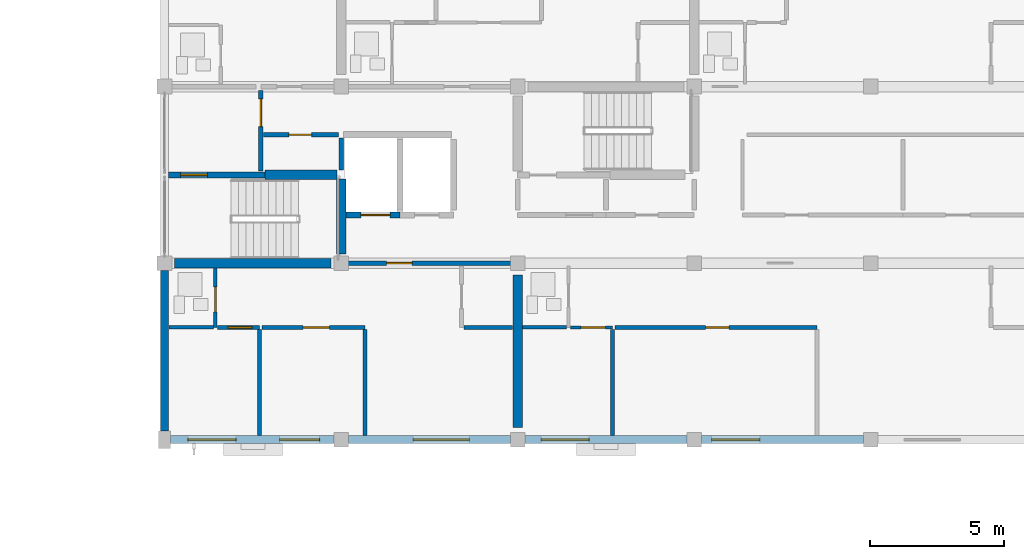
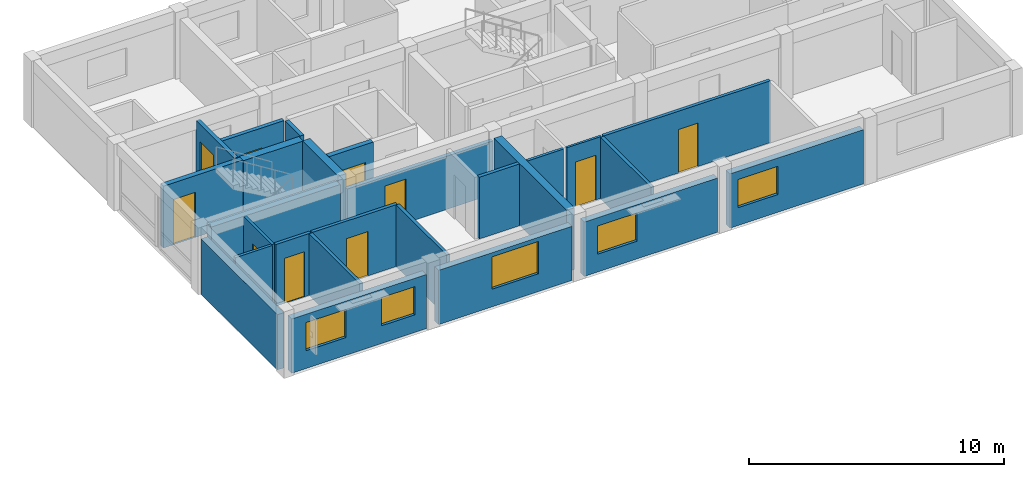
# One storey, part 36 of 52: 26 walls, 10 doors, 5 windows, 15 openings.
"""IFC4 building model written with IfcOpenShell, lengths in metres."""

import ifcopenshell
import ifcopenshell.guid

model = None  # the IFC model being written
_history = None  # IfcOwnerHistory: only IFC2X3 demands one
_inside = {}  # id of a spatial element -> (the spatial element, [elements in it])
_under = {}  # id of a project, library or spatial element -> (it, [spatial elements below it])
_declared = {}  # id of a project -> (the project, [libraries it declares])
_typed = {}  # id of a type object -> (the type object, [elements of that type])
_made_of = {}  # id of a material, layer set ... -> (it, [elements and type objects made of it])


def new_model(schema):
    """Start an empty IFC model of exactly this schema.

    Asked for "IFC4X3", IfcOpenShell would pick the latest addendum, in which some entities
    have other attributes; the version numbers below select the first issue.
    IFC2X3 requires an IfcOwnerHistory on every rooted entity: one is made here for all.
    """
    global model, _history
    if schema == "IFC4X3":
        model = ifcopenshell.file(schema_version=(4, 3, 0, 0))
    else:
        model = ifcopenshell.file(schema=schema)
    _inside.clear()
    _under.clear()
    _declared.clear()
    _typed.clear()
    _made_of.clear()
    _history = None
    if model.schema == "IFC2X3":
        org = make("IfcOrganization", Name="unknown")
        user = make(
            "IfcPersonAndOrganization",
            ThePerson=make("IfcPerson", FamilyName="unknown"),
            TheOrganization=org,
        )
        app = make(
            "IfcApplication",
            ApplicationDeveloper=org,
            Version="unknown",
            ApplicationFullName="unknown",
            ApplicationIdentifier="unknown",
        )
        _history = make(
            "IfcOwnerHistory",
            OwningUser=user,
            OwningApplication=app,
            ChangeAction="ADDED",
            CreationDate=0,
        )
    return model


def make(cls, **values):
    """One entity of the class cls with the attributes given. An attribute that is None is left unset."""
    return model.create_entity(
        cls, **{name: value for name, value in values.items() if value is not None}
    )


def rooted(cls, **values):
    """An entity with a GlobalId (a new one), such as an element, a storey or a relation."""
    return make(cls, GlobalId=ifcopenshell.guid.new(), OwnerHistory=_history, **values)


def si_unit(unit_type, name, prefix=None):
    """IfcSIUnit, for example si_unit("LENGTHUNIT", "METRE", prefix="MILLI")."""
    return make("IfcSIUnit", UnitType=unit_type, Prefix=prefix, Name=name)


def assignment(units):
    """IfcUnitAssignment: the units of a project."""
    return None if units is None else make("IfcUnitAssignment", Units=units)


def point(xyz):
    """IfcCartesianPoint."""
    return None if xyz is None else make("IfcCartesianPoint", Coordinates=xyz)


def direction(xyz):
    """IfcDirection."""
    return None if xyz is None else make("IfcDirection", DirectionRatios=xyz)


def frame(location, z_axis=None, x_axis=None):
    """IfcAxis2Placement3D, a coordinate frame: its origin and axes. An axis left out is left unset."""
    return make(
        "IfcAxis2Placement3D",
        Location=point(location),
        Axis=direction(z_axis),
        RefDirection=direction(x_axis),
    )


def frame_2d(location, x_axis=None):
    """IfcAxis2Placement2D, a coordinate frame in the plane: its origin and x axis."""
    return make(
        "IfcAxis2Placement2D", Location=point(location), RefDirection=direction(x_axis)
    )


def origin():
    """The frame at (0, 0, 0) with its axes left unset."""
    return frame((0.0, 0.0, 0.0))


def place(relative_to, where):
    """IfcLocalPlacement: puts the frame where relative to a parent placement (None: the world)."""
    return make(
        "IfcLocalPlacement", PlacementRelTo=relative_to, RelativePlacement=where
    )


def context(
    kind, dimensions, precision=None, world=None, true_north=None, identifier=None
):
    """IfcGeometricRepresentationContext, for example the 3D "Model" context."""
    return make(
        "IfcGeometricRepresentationContext",
        ContextIdentifier=identifier,
        ContextType=kind,
        CoordinateSpaceDimension=dimensions,
        Precision=precision,
        WorldCoordinateSystem=world,
        TrueNorth=true_north,
    )


def subcontext(parent, identifier, kind, view, scale=None):
    """IfcGeometricRepresentationSubContext, for example "Body" below "Model"."""
    return make(
        "IfcGeometricRepresentationSubContext",
        ContextIdentifier=identifier,
        ContextType=kind,
        ParentContext=parent,
        TargetScale=scale,
        TargetView=view,
    )


def project(units=None, contexts=None):
    """IfcProject with its units and contexts."""
    return rooted(
        "IfcProject",
        Name="project",
        RepresentationContexts=contexts,
        UnitsInContext=assignment(units),
    )


def spatial(cls, under=None, at=None, **own):
    """A site, building, storey or space (cls), placed at a placement, below another one or the project."""
    s = rooted(cls, ObjectPlacement=at, **own)
    if under is not None:
        _under.setdefault(under.id(), (under, []))[1].append(s)
    return s


def profile(cls, at=None, kind="AREA", **sizes):
    """A parametric profile (cls). Its sizes go by their IFC names, for example OverallWidth=200.0."""
    return make(cls, ProfileType=kind, Position=at, **sizes)


def rectangle(**sizes):
    """IfcRectangleProfileDef."""
    return profile("IfcRectangleProfileDef", **sizes)


def extrude(swept, where, along, depth):
    """IfcExtrudedAreaSolid: the profile swept, set in the frame where, extruded along a direction by depth."""
    return make(
        "IfcExtrudedAreaSolid",
        SweptArea=swept,
        Position=where,
        ExtrudedDirection=direction(along),
        Depth=depth,
    )


def shape(context_of_items, identifier, shape_type, items):
    """IfcShapeRepresentation: the items that make up one representation, for example the "Body"."""
    return make(
        "IfcShapeRepresentation",
        ContextOfItems=context_of_items,
        RepresentationIdentifier=identifier,
        RepresentationType=shape_type,
        Items=items,
    )


def material(Name=None, Category=None):
    """IfcMaterial."""
    return make("IfcMaterial", Name=Name, Category=Category)


def layer(
    of_material, thickness, ventilated=None, Name=None, Category=None, Priority=None
):
    """IfcMaterialLayer: one layer of a wall or slab, of a material (None: an air gap)."""
    return make(
        "IfcMaterialLayer",
        Material=of_material,
        LayerThickness=thickness,
        IsVentilated=ventilated,
        Name=Name,
        Category=Category,
        Priority=Priority,
    )


def layer_set(layers, Name=None):
    """IfcMaterialLayerSet."""
    return make("IfcMaterialLayerSet", MaterialLayers=layers, LayerSetName=Name)


def made_of(thing, what):
    """Note that an element or type object is made of a material, layer set ...; save() writes the relation."""
    if what is not None:
        _made_of.setdefault(what.id(), (what, []))[1].append(thing)
    return thing


def type_object(cls, material=None, **own):
    """A type object (cls), such as IfcWallType, which elements share."""
    return made_of(rooted(cls, **own), material)


def element(
    cls,
    number,
    at=None,
    inside=None,
    cuts=None,
    type_object=None,
    material=None,
    context=None,
    identifier="Body",
    shape_type=None,
    held_by="IfcProductDefinitionShape",
    body=None,
    shapes=None,
    **own,
):
    """One element of the class cls, such as IfcWall. Its Tag is "e" and its number.

    at: its placement. inside: the storey or other place that contains it. cuts: it is an
    opening in that element (IfcRelVoidsElement). A single representation is given by context,
    identifier, shape_type and body (its items); several are given by shapes. held_by: the class
    of the entity that holds the representations. save() writes the other relations.
    """
    e = rooted(cls, Tag="e%d" % number, ObjectPlacement=at, **own)
    if body is not None:
        shapes = [shape(context, identifier, shape_type, body)]
    if shapes is not None:
        e.Representation = make(held_by, Representations=shapes)
    if inside is not None:
        _inside.setdefault(inside.id(), (inside, []))[1].append(e)
    if cuts is not None:
        rooted(
            "IfcRelVoidsElement", RelatingBuildingElement=cuts, RelatedOpeningElement=e
        )
    if type_object is not None:
        _typed.setdefault(type_object.id(), (type_object, []))[1].append(e)
    return made_of(e, material)


def fill(opening, filler):
    """IfcRelFillsElement: the door or window that sits in an opening."""
    return rooted(
        "IfcRelFillsElement",
        RelatingOpeningElement=opening,
        RelatedBuildingElement=filler,
    )


def aggregate(whole, parts):
    """IfcRelAggregates: a whole, such as a stair, and the parts it consists of."""
    return rooted("IfcRelAggregates", RelatingObject=whole, RelatedObjects=parts)


def save(model, path):
    """Write the relations noted so far, then the file.

    IfcRelAggregates (storeys below a building ...), IfcRelContainedInSpatialStructure (elements
    in a storey), IfcRelDefinesByType, IfcRelAssociatesMaterial and IfcRelDeclares: one each for
    every whole, place, type object, material and project.
    """
    for whole, parts in _under.values():
        aggregate(whole, parts)
    for where, things in _inside.values():
        rooted(
            "IfcRelContainedInSpatialStructure",
            RelatedElements=things,
            RelatingStructure=where,
        )
    for kind, things in _typed.values():
        rooted("IfcRelDefinesByType", RelatedObjects=things, RelatingType=kind)
    for what, things in _made_of.values():
        rooted("IfcRelAssociatesMaterial", RelatedObjects=things, RelatingMaterial=what)
    for by, libraries in _declared.values():
        rooted("IfcRelDeclares", RelatingContext=by, RelatedDefinitions=libraries)
    model.write(path)


model = new_model("IFC4")

# Units and contexts
model_context = context("Model", 3, precision=1e-05, world=origin(), true_north=direction((0.0, 1.0)))
body_context = subcontext(model_context, "Body", "Model", "MODEL_VIEW")
ifc_project = project(units=[si_unit("LENGTHUNIT", "METRE"), si_unit("AREAUNIT", "SQUARE_METRE"), si_unit("VOLUMEUNIT", "CUBIC_METRE"), si_unit("PLANEANGLEUNIT", "RADIAN"), si_unit("MASSUNIT", "GRAM", prefix="KILO")], contexts=[model_context])

# Site, building, storey
site_placement = place(None, origin())
site = spatial("IfcSite", under=ifc_project, at=site_placement, CompositionType="ELEMENT")
building_placement = place(site_placement, origin())
building = spatial("IfcBuilding", under=site, at=building_placement, Name="Kernevlak Ridge Housing Community", CompositionType="ELEMENT")
storey_placement = place(building_placement, frame((0.0, 0.0, 11.60009765625)))
storey = spatial("IfcBuildingStorey", under=building, at=storey_placement, Name="L03", CompositionType="ELEMENT", Elevation=11.60009765625)

# Wall, openings, windows
ifc_material_1 = material(Name="Concrete block masonry M10", Category="masonry")
ifc_layer_1 = layer(ifc_material_1, 0.300048828125, Name="Concrete block masonry M10")
ifc_layer_set_1 = layer_set([ifc_layer_1], Name="Concrete block masonry M10")
wall_type_1 = type_object("IfcWallType", Name="EW-01", PredefinedType="STANDARD", material=ifc_layer_set_1)
wall_1_placement = place(storey_placement, frame((119.625, 82.60009765625, 0.0), z_axis=(0.0, 0.0, 1.0), x_axis=(1.0, 0.0, 0.0)))
wall_1 = element("IfcWall", 1, at=wall_1_placement, inside=storey, type_object=wall_type_1, Name="Exterior wall EW-01 L03 339", PredefinedType="STANDARD", context=body_context, shape_type="SweptSolid", body=[
    extrude(rectangle(XDim=6.10009765625, YDim=0.300048828125, at=frame_2d((3.050048828125, 0.0))), origin(), (0.0, 0.0, 1.0), 2.599853515625),
])
opening_1_placement = place(wall_1_placement, frame((0.64990234375, 0.0, 0.85009765625)))
opening_1 = element("IfcOpeningElement", 2, at=opening_1_placement, cuts=wall_1, Name="Opening WT-03", PredefinedType="OPENING", context=body_context, shape_type="SweptSolid", body=[
    extrude(rectangle(XDim=1.800048828125, YDim=1.35009765625, at=frame_2d((0.89990234375, 0.675048828125))), frame((0.0, 0.159912109375, 0.0), z_axis=(0.0, -1.0, 0.0), x_axis=(1.0, 0.0, 0.0)), (0.0, 0.0, 1.0), 0.320068359375),
])
opening_2_placement = place(wall_1_placement, frame((4.074951171875, 0.0, 0.85009765625)))
opening_2 = element("IfcOpeningElement", 3, at=opening_2_placement, cuts=wall_1, Name="Opening WT-02", PredefinedType="OPENING", context=body_context, shape_type="SweptSolid", body=[
    extrude(rectangle(XDim=1.5, YDim=1.35009765625, at=frame_2d((0.75, 0.675048828125))), frame((0.0, 0.159912109375, 0.0), z_axis=(0.0, -1.0, 0.0), x_axis=(1.0, 0.0, 0.0)), (0.0, 0.0, 1.0), 0.320068359375),
])
ifc_material_2 = material(Name="Aluminium EN AW-6060 anodised and laminated glass", Category="aluminium")
window_type_1 = type_object("IfcWindowType", Name="WT-02", PartitioningType="SINGLE_PANEL", PredefinedType="WINDOW", material=ifc_material_2)
window_1_placement = place(opening_2_placement, origin())
window_1 = element("IfcWindow", 4, at=window_1_placement, inside=storey, type_object=window_type_1, Name="Window WT-02 L03 260", OverallHeight=1.35009765625, OverallWidth=1.5, PartitioningType="SINGLE_PANEL", PredefinedType="WINDOW", context=body_context, shape_type="SweptSolid", body=[
    extrude(rectangle(XDim=1.5, YDim=1.35009765625, at=frame_2d((0.75, 0.675048828125))), frame((0.0, 0.030029296875, 0.0), z_axis=(0.0, -1.0, 0.0), x_axis=(1.0, 0.0, 0.0)), (0.0, 0.0, 1.0), 0.06005859375),
])
fill(opening_2, window_1)
window_type_2 = type_object("IfcWindowType", Name="WT-03", PartitioningType="SINGLE_PANEL", PredefinedType="WINDOW", material=ifc_material_2)
window_2_placement = place(opening_1_placement, origin())
window_2 = element("IfcWindow", 5, at=window_2_placement, inside=storey, type_object=window_type_2, Name="Window WT-03 L03 259", OverallHeight=1.35009765625, OverallWidth=1.800048828125, PartitioningType="SINGLE_PANEL", PredefinedType="WINDOW", context=body_context, shape_type="SweptSolid", body=[
    extrude(rectangle(XDim=1.800048828125, YDim=1.35009765625, at=frame_2d((0.89990234375, 0.675048828125))), frame((0.0, 0.030029296875, 0.0), z_axis=(0.0, -1.0, 0.0), x_axis=(1.0, 0.0, 0.0)), (0.0, 0.0, 1.0), 0.06005859375),
])
fill(opening_1, window_2)

# Wall, opening, window
wall_2_placement = place(storey_placement, frame((126.27490234375, 82.60009765625, 0.0), z_axis=(0.0, 0.0, 1.0), x_axis=(1.0, 0.0, 0.0)))
wall_2 = element("IfcWall", 6, at=wall_2_placement, inside=storey, type_object=wall_type_1, Name="Exterior wall EW-01 L03 340", PredefinedType="STANDARD", context=body_context, shape_type="SweptSolid", body=[
    extrude(rectangle(XDim=6.050048828125, YDim=0.300048828125, at=frame_2d((3.02490234375, 0.0))), origin(), (0.0, 0.0, 1.0), 2.599853515625),
])
opening_3_placement = place(wall_2_placement, frame((2.4208984375, 0.0, 0.85009765625)))
opening_3 = element("IfcOpeningElement", 7, at=opening_3_placement, cuts=wall_2, Name="Opening WT-05", PredefinedType="OPENING", context=body_context, shape_type="SweptSolid", body=[
    extrude(rectangle(XDim=2.10009765625, YDim=1.550048828125, at=frame_2d((1.050048828125, 0.77490234375))), frame((0.0, 0.159912109375, 0.0), z_axis=(0.0, -1.0, 0.0), x_axis=(1.0, 0.0, 0.0)), (0.0, 0.0, 1.0), 0.320068359375),
])
window_type_3 = type_object("IfcWindowType", Name="WT-05", PartitioningType="SINGLE_PANEL", PredefinedType="WINDOW", material=ifc_material_2)
window_3_placement = place(opening_3_placement, origin())
window_3 = element("IfcWindow", 8, at=window_3_placement, inside=storey, type_object=window_type_3, Name="Window WT-05 L03 261", OverallHeight=1.550048828125, OverallWidth=2.10009765625, PartitioningType="SINGLE_PANEL", PredefinedType="WINDOW", context=body_context, shape_type="SweptSolid", body=[
    extrude(rectangle(XDim=2.10009765625, YDim=1.550048828125, at=frame_2d((1.050048828125, 0.77490234375))), frame((0.0, 0.030029296875, 0.0), z_axis=(0.0, -1.0, 0.0), x_axis=(1.0, 0.0, 0.0)), (0.0, 0.0, 1.0), 0.06005859375),
])
fill(opening_3, window_3)

wall_3_placement = place(storey_placement, frame((132.875, 82.60009765625, 0.0), z_axis=(0.0, 0.0, 1.0), x_axis=(1.0, 0.0, 0.0)))
wall_3 = element("IfcWall", 9, at=wall_3_placement, inside=storey, type_object=wall_type_1, Name="Exterior wall EW-01 L03 341", PredefinedType="STANDARD", context=body_context, shape_type="SweptSolid", body=[
    extrude(rectangle(XDim=6.050048828125, YDim=0.300048828125, at=frame_2d((3.02490234375, 0.0))), origin(), (0.0, 0.0, 1.0), 2.599853515625),
])
opening_4_placement = place(wall_3_placement, frame((0.60009765625, 0.0, 0.85009765625)))
opening_4 = element("IfcOpeningElement", 10, at=opening_4_placement, cuts=wall_3, Name="Opening WT-03", PredefinedType="OPENING", context=body_context, shape_type="SweptSolid", body=[
    extrude(rectangle(XDim=1.800048828125, YDim=1.35009765625, at=frame_2d((0.89990234375, 0.675048828125))), frame((0.0, 0.159912109375, 0.0), z_axis=(0.0, -1.0, 0.0), x_axis=(1.0, 0.0, 0.0)), (0.0, 0.0, 1.0), 0.320068359375),
])
window_4_placement = place(opening_4_placement, origin())
window_4 = element("IfcWindow", 11, at=window_4_placement, inside=storey, type_object=window_type_2, Name="Window WT-03 L03 262", OverallHeight=1.35009765625, OverallWidth=1.800048828125, PartitioningType="SINGLE_PANEL", PredefinedType="WINDOW", context=body_context, shape_type="SweptSolid", body=[
    extrude(rectangle(XDim=1.800048828125, YDim=1.35009765625, at=frame_2d((0.89990234375, 0.675048828125))), frame((0.0, 0.030029296875, 0.0), z_axis=(0.0, -1.0, 0.0), x_axis=(1.0, 0.0, 0.0)), (0.0, 0.0, 1.0), 0.06005859375),
])
fill(opening_4, window_4)

wall_4_placement = place(storey_placement, frame((139.47509765625, 82.60009765625, 0.0), z_axis=(0.0, 0.0, 1.0), x_axis=(1.0, 0.0, 0.0)))
wall_4 = element("IfcWall", 12, at=wall_4_placement, inside=storey, type_object=wall_type_1, Name="Exterior wall EW-01 L03 342", PredefinedType="STANDARD", context=body_context, shape_type="SweptSolid", body=[
    extrude(rectangle(XDim=6.0498046875, YDim=0.300048828125, at=frame_2d((3.02490234375, 0.0))), origin(), (0.0, 0.0, 1.0), 2.599853515625),
])
opening_5_placement = place(wall_4_placement, frame((0.375, 0.0, 0.85009765625)))
opening_5 = element("IfcOpeningElement", 13, at=opening_5_placement, cuts=wall_4, Name="Opening WT-03", PredefinedType="OPENING", context=body_context, shape_type="SweptSolid", body=[
    extrude(rectangle(XDim=1.800048828125, YDim=1.35009765625, at=frame_2d((0.89990234375, 0.675048828125))), frame((0.0, 0.159912109375, 0.0), z_axis=(0.0, -1.0, 0.0), x_axis=(1.0, 0.0, 0.0)), (0.0, 0.0, 1.0), 0.320068359375),
])
window_5_placement = place(opening_5_placement, origin())
window_5 = element("IfcWindow", 14, at=window_5_placement, inside=storey, type_object=window_type_2, Name="Window WT-03 L03 263", OverallHeight=1.35009765625, OverallWidth=1.800048828125, PartitioningType="SINGLE_PANEL", PredefinedType="WINDOW", context=body_context, shape_type="SweptSolid", body=[
    extrude(rectangle(XDim=1.800048828125, YDim=1.35009765625, at=frame_2d((0.89990234375, 0.675048828125))), frame((0.0, 0.030029296875, 0.0), z_axis=(0.0, -1.0, 0.0), x_axis=(1.0, 0.0, 0.0)), (0.0, 0.0, 1.0), 0.06005859375),
])
fill(opening_5, window_5)

# Wall
wall_5_placement = place(storey_placement, frame((119.39990234375, 82.925048828125, 0.0), z_axis=(0.0, 0.0, 1.0), x_axis=(0.0, 1.0, 0.0)))
element("IfcWall", 15, at=wall_5_placement, inside=storey, type_object=wall_type_1, Name="Exterior wall EW-01 L03 351", PredefinedType="STANDARD", context=body_context, shape_type="SweptSolid", body=[
    extrude(rectangle(XDim=6.0, YDim=0.300048828125, at=frame_2d((3.0, 0.0))), origin(), (0.0, 0.0, 1.0), 2.64990234375),
])

# Wall, opening, door
ifc_material_3 = material(Name="Concrete C35/45", Category="concrete")
ifc_layer_2 = layer(ifc_material_3, 0.22509765625, Name="Concrete C35/45")
ifc_layer_set_2 = layer_set([ifc_layer_2], Name="Concrete C35/45")
wall_type_2 = type_object("IfcWallType", Name="PW-01", PredefinedType="STANDARD", material=ifc_layer_set_2)
wall_6_placement = place(storey_placement, frame((119.550048828125, 92.5, 0.0), z_axis=(0.0, 0.0, 1.0), x_axis=(1.0, 0.0, 0.0)))
wall_6 = element("IfcWall", 16, at=wall_6_placement, inside=storey, type_object=wall_type_2, Name="Interior wall PW-01 WAL-INT-L03-1326", PredefinedType="STANDARD", context=body_context, shape_type="SweptSolid", body=[
    extrude(rectangle(XDim=3.599853515625, YDim=0.22509765625, at=frame_2d((1.7998046875, 0.0))), origin(), (0.0, 0.0, 1.0), 2.9599609375),
])
opening_6_placement = place(wall_6_placement, frame((0.449951171875, 0.0, 0.0)))
opening_6 = element("IfcOpeningElement", 17, at=opening_6_placement, cuts=wall_6, Name="Opening D672", PredefinedType="OPENING", context=body_context, shape_type="SweptSolid", body=[
    extrude(rectangle(XDim=1.0, YDim=2.159912109375, at=frame_2d((0.5, 1.080078125))), frame((0.0, 0.12255859375, 0.0), z_axis=(0.0, -1.0, 0.0), x_axis=(1.0, 0.0, 0.0)), (0.0, 0.0, 1.0), 0.2451171875),
])
ifc_material_4 = material(Name="Fire-rated sheet steel leaf", Category="steel")
door_type_1 = type_object("IfcDoorType", Name="DT-15", OperationType="NOTDEFINED", PredefinedType="DOOR", material=ifc_material_4)
door_1_placement = place(opening_6_placement, origin())
door_1 = element("IfcDoor", 18, at=door_1_placement, inside=storey, type_object=door_type_1, Name="Block B Stair 1 fire door D672", OperationType="SINGLE_SWING_RIGHT", OverallHeight=2.159912109375, OverallWidth=1.0, PredefinedType="DOOR", context=body_context, shape_type="SweptSolid", body=[
    extrude(rectangle(XDim=1.0, YDim=2.159912109375, at=frame_2d((0.5, 1.080078125))), frame((0.0, 0.02490234375, 0.0), z_axis=(0.0, -1.0, 0.0), x_axis=(1.0, 0.0, 0.0)), (0.0, 0.0, 1.0), 0.050048828125),
])
fill(opening_6, door_1)

wall_7_placement = place(storey_placement, frame((126.18505859375, 91.0, 0.0), z_axis=(0.0, 0.0, 1.0), x_axis=(1.0, 0.0, 0.0)))
wall_7 = element("IfcWall", 19, at=wall_7_placement, inside=storey, type_object=wall_type_2, Name="Interior wall PW-01 WAL-INT-L03-1330", PredefinedType="STANDARD", context=body_context, shape_type="SweptSolid", body=[
    extrude(rectangle(XDim=2.014892578125, YDim=0.22509765625, at=frame_2d((1.00732421875, 0.0))), origin(), (0.0, 0.0, 1.0), 2.9599609375),
])
opening_7_placement = place(wall_7_placement, frame((0.550048828125, 0.0, 0.0)))
opening_7 = element("IfcOpeningElement", 20, at=opening_7_placement, cuts=wall_7, Name="Opening LD36", PredefinedType="OPENING", context=body_context, shape_type="SweptSolid", body=[
    extrude(rectangle(XDim=1.10009765625, YDim=2.10009765625, at=frame_2d((0.550048828125, 1.050048828125))), frame((0.0, 0.12255859375, 0.0), z_axis=(0.0, -1.0, 0.0), x_axis=(1.0, 0.0, 0.0)), (0.0, 0.0, 1.0), 0.2451171875),
])
ifc_material_5 = material(Name="Stainless steel EN 1.4401", Category="steel")
door_type_2 = type_object("IfcDoorType", Name="DT-LD1", OperationType="DOUBLE_DOOR_SLIDING", PredefinedType="DOOR", material=ifc_material_5)
door_2_placement = place(opening_7_placement, origin())
door_2 = element("IfcDoor", 21, at=door_2_placement, inside=storey, type_object=door_type_2, Name="Lift LF-B1 landing door LD36", OperationType="DOUBLE_DOOR_SLIDING", OverallHeight=2.10009765625, OverallWidth=1.10009765625, PredefinedType="DOOR", context=body_context, shape_type="SweptSolid", body=[
    extrude(rectangle(XDim=1.10009765625, YDim=2.10009765625, at=frame_2d((0.550048828125, 1.050048828125))), frame((0.0, 0.02490234375, 0.0), z_axis=(0.0, -1.0, 0.0), x_axis=(1.0, 0.0, 0.0)), (0.0, 0.0, 1.0), 0.050048828125),
])
fill(opening_7, door_2)

ifc_layer_3 = layer(ifc_material_1, 0.175048828125, Name="Concrete block masonry M10")
ifc_layer_set_3 = layer_set([ifc_layer_3], Name="Concrete block masonry M10")
wall_type_3 = type_object("IfcWallType", Name="PW-02", PredefinedType="PARTITIONING", material=ifc_layer_set_3)
wall_8_placement = place(storey_placement, frame((123.0, 92.64990234375, 0.0), z_axis=(0.0, 0.0, 1.0), x_axis=(0.0, 1.0, 0.0)))
wall_8 = element("IfcWall", 22, at=wall_8_placement, inside=storey, type_object=wall_type_3, Name="Interior wall PW-02 WAL-INT-L03-1327", PredefinedType="PARTITIONING", context=body_context, shape_type="SweptSolid", body=[
    extrude(rectangle(XDim=3.0, YDim=0.175048828125, at=frame_2d((1.5, 0.0))), origin(), (0.0, 0.0, 1.0), 2.9599609375),
])
opening_8_placement = place(wall_8_placement, frame((1.64990234375, 0.0, 0.0)))
opening_8 = element("IfcOpeningElement", 23, at=opening_8_placement, cuts=wall_8, Name="Opening D673", PredefinedType="OPENING", context=body_context, shape_type="SweptSolid", body=[
    extrude(rectangle(XDim=1.0400390625, YDim=2.1201171875, at=frame_2d((0.52001953125, 1.06005859375))), frame((0.0, 0.097412109375, 0.0), z_axis=(0.0, -1.0, 0.0), x_axis=(1.0, 0.0, 0.0)), (0.0, 0.0, 1.0), 0.195068359375),
])
door_type_3 = type_object("IfcDoorType", Name="DT-16", OperationType="NOTDEFINED", PredefinedType="DOOR", material=ifc_material_4)
door_3_placement = place(opening_8_placement, origin())
door_3 = element("IfcDoor", 24, at=door_3_placement, inside=storey, type_object=door_type_3, Name="Block B Firefighting lobby 1 door D673", OperationType="SINGLE_SWING_LEFT", OverallHeight=2.1201171875, OverallWidth=1.0400390625, PredefinedType="DOOR", context=body_context, shape_type="SweptSolid", body=[
    extrude(rectangle(XDim=1.0400390625, YDim=2.1201171875, at=frame_2d((0.52001953125, 1.06005859375))), frame((0.0, 0.02490234375, 0.0), z_axis=(0.0, -1.0, 0.0), x_axis=(1.0, 0.0, 0.0)), (0.0, 0.0, 1.0), 0.050048828125),
])
fill(opening_8, door_3)

wall_9_placement = place(storey_placement, frame((123.10009765625, 94.0, 0.0), z_axis=(0.0, 0.0, 1.0), x_axis=(1.0, 0.0, 0.0)))
wall_9 = element("IfcWall", 25, at=wall_9_placement, inside=storey, type_object=wall_type_3, Name="Interior wall PW-02 WAL-INT-L03-1328", PredefinedType="PARTITIONING", context=body_context, shape_type="SweptSolid", body=[
    extrude(rectangle(XDim=2.7998046875, YDim=0.175048828125, at=frame_2d((1.39990234375, 0.0))), origin(), (0.0, 0.0, 1.0), 2.9599609375),
])
opening_9_placement = place(wall_9_placement, frame((0.949951171875, 0.0, 0.0)))
opening_9 = element("IfcOpeningElement", 26, at=opening_9_placement, cuts=wall_9, Name="Opening D674", PredefinedType="OPENING", context=body_context, shape_type="SweptSolid", body=[
    extrude(rectangle(XDim=0.85009765625, YDim=2.0, at=frame_2d((0.425048828125, 1.0))), frame((0.0, 0.097412109375, 0.0), z_axis=(0.0, -1.0, 0.0), x_axis=(1.0, 0.0, 0.0)), (0.0, 0.0, 1.0), 0.195068359375),
])
door_type_4 = type_object("IfcDoorType", Name="DT-07", OperationType="NOTDEFINED", PredefinedType="DOOR", material=ifc_material_4)
door_4_placement = place(opening_9_placement, origin())
door_4 = element("IfcDoor", 27, at=door_4_placement, inside=storey, type_object=door_type_4, Name="Block B Riser shaft door D674", OperationType="SINGLE_SWING_RIGHT", OverallHeight=2.0, OverallWidth=0.85009765625, PredefinedType="DOOR", context=body_context, shape_type="SweptSolid", body=[
    extrude(rectangle(XDim=0.85009765625, YDim=2.0, at=frame_2d((0.425048828125, 1.0))), frame((0.0, 0.02490234375, 0.0), z_axis=(0.0, -1.0, 0.0), x_axis=(1.0, 0.0, 0.0)), (0.0, 0.0, 1.0), 0.050048828125),
])
fill(opening_9, door_4)

# Wall
wall_10_placement = place(storey_placement, frame((126.0, 92.679931640625, 0.0), z_axis=(0.0, 0.0, 1.0), x_axis=(0.0, 1.0, 0.0)))
element("IfcWall", 28, at=wall_10_placement, inside=storey, type_object=wall_type_3, Name="Interior wall PW-02 WAL-INT-L03-1329", PredefinedType="PARTITIONING", context=body_context, shape_type="SweptSolid", body=[
    extrude(rectangle(XDim=1.190185546875, YDim=0.175048828125, at=frame_2d((0.59521484375, 0.0))), origin(), (0.0, 0.0, 1.0), 2.9599609375),
])

# Wall, opening, door
wall_11_placement = place(storey_placement, frame((126.0, 89.199951171875, 0.0), z_axis=(0.0, 0.0, 1.0), x_axis=(1.0, 0.0, 0.0)))
wall_11 = element("IfcWall", 29, at=wall_11_placement, inside=storey, type_object=wall_type_3, Name="Interior wall PW-02 WAL-INT-L03-1347", PredefinedType="PARTITIONING", context=body_context, shape_type="SweptSolid", body=[
    extrude(rectangle(XDim=6.60009765625, YDim=0.175048828125, at=frame_2d((3.300048828125, 0.0))), origin(), (0.0, 0.0, 1.0), 2.5498046875),
])
opening_10_placement = place(wall_11_placement, frame((1.699951171875, 0.0, 0.0)))
opening_10 = element("IfcOpeningElement", 30, at=opening_10_placement, cuts=wall_11, Name="Opening D680", PredefinedType="OPENING", context=body_context, shape_type="SweptSolid", body=[
    extrude(rectangle(XDim=0.949951171875, YDim=2.10009765625, at=frame_2d((0.47509765625, 1.050048828125))), frame((0.0, 0.097412109375, 0.0), z_axis=(0.0, -1.0, 0.0), x_axis=(1.0, 0.0, 0.0)), (0.0, 0.0, 1.0), 0.195068359375),
])
ifc_material_6 = material(Name="Hardwood timber solid-core fire leaf", Category="wood")
door_type_5 = type_object("IfcDoorType", Name="DT-01", OperationType="NOTDEFINED", PredefinedType="DOOR", material=ifc_material_6)
door_5_placement = place(opening_10_placement, origin())
door_5 = element("IfcDoor", 31, at=door_5_placement, inside=storey, type_object=door_type_5, Name="Flat B0311 entrance fire door D680", OperationType="SINGLE_SWING_RIGHT", OverallHeight=2.10009765625, OverallWidth=0.949951171875, PredefinedType="DOOR", context=body_context, shape_type="SweptSolid", body=[
    extrude(rectangle(XDim=0.949951171875, YDim=2.10009765625, at=frame_2d((0.47509765625, 1.050048828125))), frame((0.0, 0.02490234375, 0.0), z_axis=(0.0, -1.0, 0.0), x_axis=(1.0, 0.0, 0.0)), (0.0, 0.0, 1.0), 0.050048828125),
])
fill(opening_10, door_5)

ifc_layer_4 = layer(ifc_material_1, 0.14501953125, Name="Concrete block masonry M10")
ifc_layer_set_4 = layer_set([ifc_layer_4], Name="Concrete block masonry M10")
wall_type_4 = type_object("IfcWallType", Name="PW-03", PredefinedType="PARTITIONING", material=ifc_layer_set_4)
wall_12_placement = place(storey_placement, frame((121.37255859375, 86.800048828125, 0.0), z_axis=(0.0, 0.0, 1.0), x_axis=(1.0, 0.0, 0.0)))
wall_12 = element("IfcWall", 32, at=wall_12_placement, inside=storey, type_object=wall_type_4, Name="Interior wall PW-03 WAL-INT-L03-1352", PredefinedType="PARTITIONING", context=body_context, shape_type="SweptSolid", body=[
    extrude(rectangle(XDim=1.577392578125, YDim=0.14501953125, at=frame_2d((0.78857421875, 0.0))), origin(), (0.0, 0.0, 1.0), 2.9599609375),
])
opening_11_placement = place(wall_12_placement, frame((0.39990234375, 0.0, 0.0)))
opening_11 = element("IfcOpeningElement", 33, at=opening_11_placement, cuts=wall_12, Name="Opening D683", PredefinedType="OPENING", context=body_context, shape_type="SweptSolid", body=[
    extrude(rectangle(XDim=0.89990234375, YDim=2.159912109375, at=frame_2d((0.449951171875, 1.080078125))), frame((0.0, 0.08251953125, 0.0), z_axis=(0.0, -1.0, 0.0), x_axis=(1.0, 0.0, 0.0)), (0.0, 0.0, 1.0), 0.1650390625),
])
ifc_material_7 = material(Name="Hardwood timber leaf", Category="wood")
door_type_6 = type_object("IfcDoorType", Name="DT-22", OperationType="NOTDEFINED", PredefinedType="DOOR", material=ifc_material_7)
door_6_placement = place(opening_11_placement, origin())
door_6 = element("IfcDoor", 34, at=door_6_placement, inside=storey, type_object=door_type_6, Name="Flat B0311 bedroom door D683", OperationType="SINGLE_SWING_LEFT", OverallHeight=2.159912109375, OverallWidth=0.89990234375, PredefinedType="DOOR", context=body_context, shape_type="SweptSolid", body=[
    extrude(rectangle(XDim=0.89990234375, YDim=2.159912109375, at=frame_2d((0.449951171875, 1.080078125))), frame((0.0, 0.02490234375, 0.0), z_axis=(0.0, -1.0, 0.0), x_axis=(1.0, 0.0, 0.0)), (0.0, 0.0, 1.0), 0.050048828125),
])
fill(opening_11, door_6)

# Wall
wall_13_placement = place(storey_placement, frame((122.949951171875, 86.717529296875, 0.0), z_axis=(0.0, 0.0, 1.0), x_axis=(0.0, -1.0, 0.0)))
element("IfcWall", 35, at=wall_13_placement, inside=storey, type_object=wall_type_4, Name="Interior wall PW-03 WAL-INT-L03-1353", PredefinedType="PARTITIONING", context=body_context, shape_type="SweptSolid", body=[
    extrude(rectangle(XDim=3.95751953125, YDim=0.14501953125, at=frame_2d((1.978759765625, 0.0))), origin(), (0.0, 0.0, 1.0), 2.9599609375),
])

# Wall, opening, door
wall_14_placement = place(storey_placement, frame((123.032470703125, 86.800048828125, 0.0), z_axis=(0.0, 0.0, 1.0), x_axis=(1.0, 0.0, 0.0)))
wall_14 = element("IfcWall", 36, at=wall_14_placement, inside=storey, type_object=wall_type_4, Name="Interior wall PW-03 WAL-INT-L03-1354", PredefinedType="PARTITIONING", context=body_context, shape_type="SweptSolid", body=[
    extrude(rectangle(XDim=3.859619140625, YDim=0.14501953125, at=frame_2d((1.9296875, 0.0))), origin(), (0.0, 0.0, 1.0), 2.9599609375),
])
opening_12_placement = place(wall_14_placement, frame((1.5458984375, 0.0, 0.0)))
opening_12 = element("IfcOpeningElement", 37, at=opening_12_placement, cuts=wall_14, Name="Opening D684", PredefinedType="OPENING", context=body_context, shape_type="SweptSolid", body=[
    extrude(rectangle(XDim=0.97998046875, YDim=2.1201171875, at=frame_2d((0.489990234375, 1.06005859375))), frame((0.0, 0.08251953125, 0.0), z_axis=(0.0, -1.0, 0.0), x_axis=(1.0, 0.0, 0.0)), (0.0, 0.0, 1.0), 0.1650390625),
])
door_type_7 = type_object("IfcDoorType", Name="DT-24", OperationType="NOTDEFINED", PredefinedType="DOOR", material=ifc_material_7)
door_7_placement = place(opening_12_placement, origin())
door_7 = element("IfcDoor", 38, at=door_7_placement, inside=storey, type_object=door_type_7, Name="Flat B0311 bedroom door D684", OperationType="SINGLE_SWING_RIGHT", OverallHeight=2.1201171875, OverallWidth=0.97998046875, PredefinedType="DOOR", context=body_context, shape_type="SweptSolid", body=[
    extrude(rectangle(XDim=0.97998046875, YDim=2.1201171875, at=frame_2d((0.489990234375, 1.06005859375))), frame((0.0, 0.02490234375, 0.0), z_axis=(0.0, -1.0, 0.0), x_axis=(1.0, 0.0, 0.0)), (0.0, 0.0, 1.0), 0.050048828125),
])
fill(opening_12, door_7)

# Walls
wall_15_placement = place(storey_placement, frame((126.89208984375, 86.717529296875, 0.0), z_axis=(0.0, 0.0, 1.0), x_axis=(0.0, -1.0, 0.0)))
element("IfcWall", 39, at=wall_15_placement, inside=storey, type_object=wall_type_4, Name="Interior wall PW-03 WAL-INT-L03-1355", PredefinedType="PARTITIONING", context=body_context, shape_type="SweptSolid", body=[
    extrude(rectangle(XDim=3.95751953125, YDim=0.14501953125, at=frame_2d((1.978759765625, 0.0))), origin(), (0.0, 0.0, 1.0), 2.9599609375),
])
wall_16_placement = place(storey_placement, frame((136.14990234375, 86.719970703125, 0.0), z_axis=(0.0, 0.0, 1.0), x_axis=(0.0, -1.0, 0.0)))
element("IfcWall", 40, at=wall_16_placement, inside=storey, type_object=wall_type_4, Name="Interior wall PW-03 WAL-INT-L03-1362", PredefinedType="PARTITIONING", context=body_context, shape_type="SweptSolid", body=[
    extrude(rectangle(XDim=3.9599609375, YDim=0.14501953125, at=frame_2d((1.97998046875, 0.0))), origin(), (0.0, 0.0, 1.0), 2.9599609375),
])

# Wall, opening, door
wall_17_placement = place(storey_placement, frame((136.232421875, 86.800048828125, 0.0), z_axis=(0.0, 0.0, 1.0), x_axis=(1.0, 0.0, 0.0)))
wall_17 = element("IfcWall", 41, at=wall_17_placement, inside=storey, type_object=wall_type_4, Name="Interior wall PW-03 WAL-INT-L03-1363", PredefinedType="PARTITIONING", context=body_context, shape_type="SweptSolid", body=[
    extrude(rectangle(XDim=7.5556640625, YDim=0.14501953125, at=frame_2d((3.77783203125, 0.0))), origin(), (0.0, 0.0, 1.0), 2.9599609375),
])
opening_13_placement = place(wall_17_placement, frame((3.39404296875, 0.0, 0.0)))
opening_13 = element("IfcOpeningElement", 42, at=opening_13_placement, cuts=wall_17, Name="Opening D689", PredefinedType="OPENING", context=body_context, shape_type="SweptSolid", body=[
    extrude(rectangle(XDim=0.8701171875, YDim=2.080078125, at=frame_2d((0.43505859375, 1.0400390625))), frame((0.0, 0.08251953125, 0.0), z_axis=(0.0, -1.0, 0.0), x_axis=(1.0, 0.0, 0.0)), (0.0, 0.0, 1.0), 0.1650390625),
])
door_type_8 = type_object("IfcDoorType", Name="DT-32", OperationType="NOTDEFINED", PredefinedType="DOOR", material=ifc_material_7)
door_8_placement = place(opening_13_placement, origin())
door_8 = element("IfcDoor", 43, at=door_8_placement, inside=storey, type_object=door_type_8, Name="Flat B0312 bedroom door D689", OperationType="SINGLE_SWING_LEFT", OverallHeight=2.080078125, OverallWidth=0.8701171875, PredefinedType="DOOR", context=body_context, shape_type="SweptSolid", body=[
    extrude(rectangle(XDim=0.8701171875, YDim=2.080078125, at=frame_2d((0.43505859375, 1.0400390625))), frame((0.0, 0.02490234375, 0.0), z_axis=(0.0, -1.0, 0.0), x_axis=(1.0, 0.0, 0.0)), (0.0, 0.0, 1.0), 0.050048828125),
])
fill(opening_13, door_8)

ifc_material_8 = material(Name="Gypsum plasterboard EN 520", Category="gypsum")
ifc_layer_5 = layer(ifc_material_8, 0.125, Name="Gypsum plasterboard EN 520")
ifc_layer_set_5 = layer_set([ifc_layer_5], Name="Gypsum plasterboard EN 520")
wall_type_5 = type_object("IfcWallType", Name="PW-04", PredefinedType="PARTITIONING", material=ifc_layer_set_5)
wall_18_placement = place(storey_placement, frame((121.300048828125, 89.014892578125, 0.0), z_axis=(0.0, 0.0, 1.0), x_axis=(0.0, -1.0, 0.0)))
wall_18 = element("IfcWall", 44, at=wall_18_placement, inside=storey, type_object=wall_type_5, Name="Interior wall PW-04 WAL-INT-L03-1348", PredefinedType="PARTITIONING", context=body_context, shape_type="SweptSolid", body=[
    extrude(rectangle(XDim=2.21484375, YDim=0.125, at=frame_2d((1.107421875, 0.0))), origin(), (0.0, 0.0, 1.0), 2.9599609375),
])
opening_14_placement = place(wall_18_placement, frame((0.699951171875, 0.0, 0.0)))
opening_14 = element("IfcOpeningElement", 45, at=opening_14_placement, cuts=wall_18, Name="Opening D681", PredefinedType="OPENING", context=body_context, shape_type="SweptSolid", body=[
    extrude(rectangle(XDim=0.93994140625, YDim=2.080078125, at=frame_2d((0.469970703125, 1.0400390625))), frame((0.0, 0.072509765625, 0.0), z_axis=(0.0, -1.0, 0.0), x_axis=(1.0, 0.0, 0.0)), (0.0, 0.0, 1.0), 0.14501953125),
])
ifc_material_9 = material(Name="Hardwood timber moisture-resistant leaf", Category="wood")
door_type_9 = type_object("IfcDoorType", Name="DT-23", OperationType="NOTDEFINED", PredefinedType="DOOR", material=ifc_material_9)
door_9_placement = place(opening_14_placement, origin())
door_9 = element("IfcDoor", 46, at=door_9_placement, inside=storey, type_object=door_type_9, Name="Flat B0311 bathroom door D681", OperationType="SINGLE_SWING_LEFT", OverallHeight=2.080078125, OverallWidth=0.93994140625, PredefinedType="DOOR", context=body_context, shape_type="SweptSolid", body=[
    extrude(rectangle(XDim=0.93994140625, YDim=2.080078125, at=frame_2d((0.469970703125, 1.0400390625))), frame((0.0, 0.02490234375, 0.0), z_axis=(0.0, -1.0, 0.0), x_axis=(1.0, 0.0, 0.0)), (0.0, 0.0, 1.0), 0.050048828125),
])
fill(opening_14, door_9)

# Walls
wall_19_placement = place(storey_placement, frame((119.56005859375, 86.800048828125, 0.0), z_axis=(0.0, 0.0, 1.0), x_axis=(1.0, 0.0, 0.0)))
element("IfcWall", 47, at=wall_19_placement, inside=storey, type_object=wall_type_5, Name="Interior wall PW-04 WAL-INT-L03-1349", PredefinedType="PARTITIONING", context=body_context, shape_type="SweptSolid", body=[
    extrude(rectangle(XDim=1.659912109375, YDim=0.125, at=frame_2d((0.830078125, 0.0))), origin(), (0.0, 0.0, 1.0), 2.9599609375),
])
wall_20_placement = place(storey_placement, frame((132.784912109375, 86.800048828125, 0.0), z_axis=(0.0, 0.0, 1.0), x_axis=(1.0, 0.0, 0.0)))
element("IfcWall", 48, at=wall_20_placement, inside=storey, type_object=wall_type_5, Name="Interior wall PW-04 WAL-INT-L03-1358", PredefinedType="PARTITIONING", context=body_context, shape_type="SweptSolid", body=[
    extrude(rectangle(XDim=1.635009765625, YDim=0.125, at=frame_2d((0.8173828125, 0.0))), origin(), (0.0, 0.0, 1.0), 2.9599609375),
])
ifc_layer_6 = layer(ifc_material_8, 0.155029296875, Name="Gypsum plasterboard EN 520")
ifc_layer_set_6 = layer_set([ifc_layer_6], Name="Gypsum plasterboard EN 520")
wall_type_6 = type_object("IfcWallType", Name="PW-05", PredefinedType="PARTITIONING", material=ifc_layer_set_6)
wall_21_placement = place(storey_placement, frame((130.58740234375, 86.800048828125, 0.0), z_axis=(0.0, 0.0, 1.0), x_axis=(1.0, 0.0, 0.0)))
element("IfcWall", 49, at=wall_21_placement, inside=storey, type_object=wall_type_6, Name="Interior wall PW-05 WAL-INT-L03-1351", PredefinedType="PARTITIONING", context=body_context, shape_type="SweptSolid", body=[
    extrude(rectangle(XDim=1.82763671875, YDim=0.155029296875, at=frame_2d((0.913818359375, 0.0))), origin(), (0.0, 0.0, 1.0), 2.9599609375),
])

# Wall, opening, door
ifc_layer_7 = layer(ifc_material_8, 0.10498046875, Name="Gypsum plasterboard EN 520")
ifc_layer_set_7 = layer_set([ifc_layer_7], Name="Gypsum plasterboard EN 520")
wall_type_7 = type_object("IfcWallType", Name="PW-06", PredefinedType="PARTITIONING", material=ifc_layer_set_7)
wall_22_placement = place(storey_placement, frame((134.572509765625, 86.800048828125, 0.0), z_axis=(0.0, 0.0, 1.0), x_axis=(1.0, 0.0, 0.0)))
wall_22 = element("IfcWall", 50, at=wall_22_placement, inside=storey, type_object=wall_type_7, Name="Interior wall PW-06 WAL-INT-L03-1361", PredefinedType="PARTITIONING", context=body_context, shape_type="SweptSolid", body=[
    extrude(rectangle(XDim=1.577392578125, YDim=0.10498046875, at=frame_2d((0.78857421875, 0.0))), origin(), (0.0, 0.0, 1.0), 2.9599609375),
])
opening_15_placement = place(wall_22_placement, frame((0.39990234375, 0.0, 0.0)))
opening_15 = element("IfcOpeningElement", 51, at=opening_15_placement, cuts=wall_22, Name="Opening D688", PredefinedType="OPENING", context=body_context, shape_type="SweptSolid", body=[
    extrude(rectangle(XDim=0.909912109375, YDim=2.139892578125, at=frame_2d((0.455078125, 1.06982421875))), frame((0.0, 0.0625, 0.0), z_axis=(0.0, -1.0, 0.0), x_axis=(1.0, 0.0, 0.0)), (0.0, 0.0, 1.0), 0.125),
])
door_type_10 = type_object("IfcDoorType", Name="DT-31", OperationType="NOTDEFINED", PredefinedType="DOOR", material=ifc_material_7)
door_10_placement = place(opening_15_placement, origin())
door_10 = element("IfcDoor", 52, at=door_10_placement, inside=storey, type_object=door_type_10, Name="Flat B0312 bedroom door D688", OperationType="SINGLE_SWING_RIGHT", OverallHeight=2.139892578125, OverallWidth=0.909912109375, PredefinedType="DOOR", context=body_context, shape_type="SweptSolid", body=[
    extrude(rectangle(XDim=0.909912109375, YDim=2.139892578125, at=frame_2d((0.455078125, 1.06982421875))), frame((0.0, 0.02490234375, 0.0), z_axis=(0.0, -1.0, 0.0), x_axis=(1.0, 0.0, 0.0)), (0.0, 0.0, 1.0), 0.050048828125),
])
fill(opening_15, door_10)

# Walls
ifc_material_10 = material(Name="Concrete C40/50", Category="concrete")
ifc_layer_8 = layer(ifc_material_10, 0.35009765625, Name="Concrete C40/50")
ifc_layer_set_8 = layer_set([ifc_layer_8], Name="Concrete C40/50")
wall_type_8 = type_object("IfcWallType", Name="SW-01", PredefinedType="SHEAR", material=ifc_layer_set_8)
wall_23_placement = place(storey_placement, frame((119.780029296875, 89.199951171875, 0.0), z_axis=(0.0, 0.0, 1.0), x_axis=(1.0, 0.0, 0.0)))
element("IfcWall", 53, at=wall_23_placement, inside=storey, type_object=wall_type_8, Name="Shear wall SW-01 Block B L03 241", PredefinedType="SHEAR", context=body_context, shape_type="SweptSolid", body=[
    extrude(rectangle(XDim=5.840087890625, YDim=0.35009765625, at=frame_2d((2.919921875, 0.0))), origin(), (0.0, 0.0, 1.0), 2.9599609375),
])
wall_24_placement = place(storey_placement, frame((123.14990234375, 92.5, 0.0), z_axis=(0.0, 0.0, 1.0), x_axis=(1.0, 0.0, 0.0)))
element("IfcWall", 54, at=wall_24_placement, inside=storey, type_object=wall_type_8, Name="Shear wall SW-01 Block B L03 242", PredefinedType="SHEAR", context=body_context, shape_type="SweptSolid", body=[
    extrude(rectangle(XDim=2.7001953125, YDim=0.35009765625, at=frame_2d((1.35009765625, 0.0))), origin(), (0.0, 0.0, 1.0), 2.9599609375),
])
wall_25_placement = place(storey_placement, frame((126.0, 89.550048828125, 0.0), z_axis=(0.0, 0.0, 1.0), x_axis=(0.0, 1.0, 0.0)))
element("IfcWall", 55, at=wall_25_placement, inside=storey, type_object=wall_type_8, Name="Shear wall SW-01 Block B L03 243", PredefinedType="SHEAR", context=body_context, shape_type="SweptSolid", body=[
    extrude(rectangle(XDim=2.800048828125, YDim=0.35009765625, at=frame_2d((1.39990234375, 0.0))), origin(), (0.0, 0.0, 1.0), 2.9599609375),
])
wall_26_placement = place(storey_placement, frame((132.60009765625, 83.050048828125, 0.0), z_axis=(0.0, 0.0, 1.0), x_axis=(0.0, 1.0, 0.0)))
element("IfcWall", 56, at=wall_26_placement, inside=storey, type_object=wall_type_8, Name="Shear wall SW-01 Block B L03 248", PredefinedType="SHEAR", context=body_context, shape_type="SweptSolid", body=[
    extrude(rectangle(XDim=5.699951171875, YDim=0.35009765625, at=frame_2d((2.85009765625, 0.0))), origin(), (0.0, 0.0, 1.0), 2.9599609375),
])

save(model, "model.ifc")
